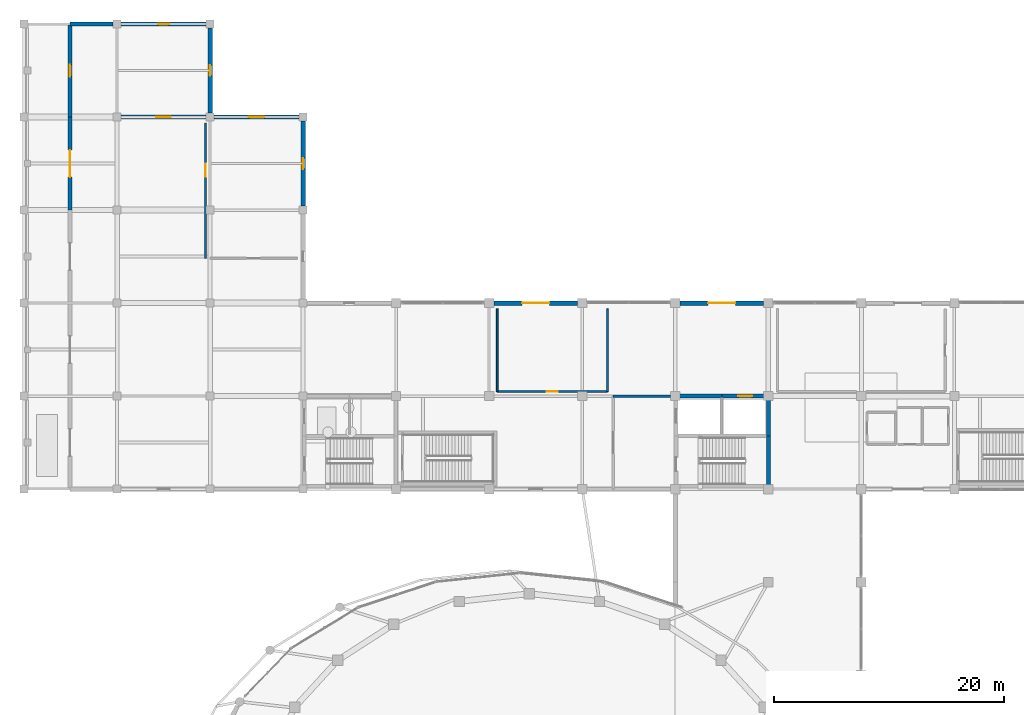
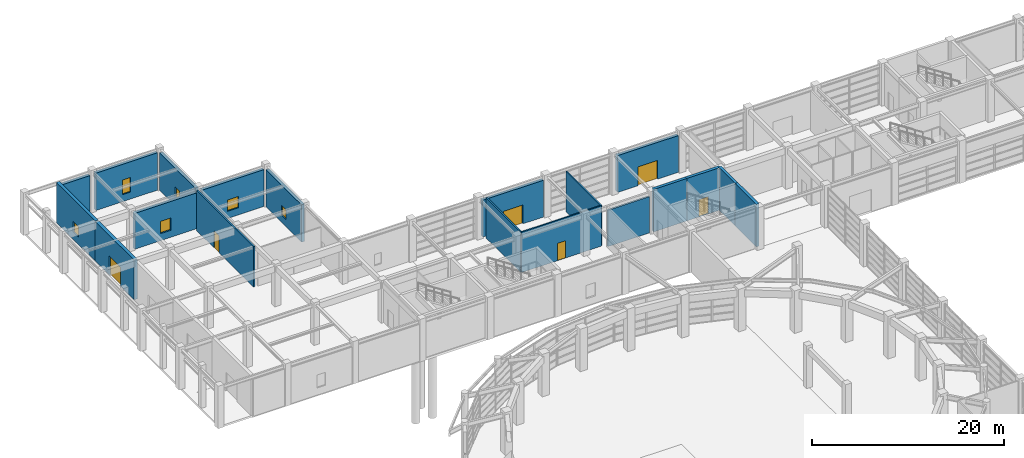
# One storey, part 39 of 52: 19 walls, 6 doors, 6 windows, 12 openings.
"""IFC4 building model written with IfcOpenShell, lengths in metres."""

from ifc_helpers import new_model, si_unit, direction, frame, frame_2d, origin, place, context, subcontext, project, spatial, rectangle, extrude, material, layer, layer_set, type_object, element, fill, save


model = new_model("IFC4")

# Units and contexts
model_context = context("Model", 3, precision=1e-05, world=origin(), true_north=direction((0.0, 1.0)))
body_context = subcontext(model_context, "Body", "Model", "MODEL_VIEW")
ifc_project = project(units=[si_unit("LENGTHUNIT", "METRE"), si_unit("AREAUNIT", "SQUARE_METRE"), si_unit("VOLUMEUNIT", "CUBIC_METRE"), si_unit("PLANEANGLEUNIT", "RADIAN"), si_unit("MASSUNIT", "GRAM", prefix="KILO")], contexts=[model_context])

# Site, building, storey
site_placement = place(None, origin())
site = spatial("IfcSite", under=ifc_project, at=site_placement, CompositionType="ELEMENT")
building_placement = place(site_placement, origin())
building = spatial("IfcBuilding", under=site, at=building_placement, Name="Parian Resonance Hall", CompositionType="ELEMENT")
storey_placement = place(building_placement, origin())
storey = spatial("IfcBuildingStorey", under=building, at=storey_placement, Name="L00", CompositionType="ELEMENT", Elevation=0.0)

# Wall
ifc_material_1 = material(Name="Concrete C40/50", Category="concrete")
ifc_layer_1 = layer(ifc_material_1, 0.35009765625)
ifc_layer_set_1 = layer_set([ifc_layer_1], Name="Concrete C40/50")
wall_type_1 = type_object("IfcWallType", Name="CW350", PredefinedType="SHEAR", material=ifc_layer_set_1)
wall_1_placement = place(storey_placement, frame((56.77001953125, 81.0, 0.0), z_axis=(0.0, 0.0, 1.0), x_axis=(1.0, 0.0, 0.0)))
element("IfcWall", 1, at=wall_1_placement, inside=storey, type_object=wall_type_1, Name="Core K1 north-west shaft wall L00", PredefinedType="SHEAR", context=body_context, shape_type="SweptSolid", body=[
    extrude(rectangle(XDim=3.97998046875, YDim=0.35009765625, at=frame_2d((1.989990234375, 0.0))), origin(), (0.0, 0.0, 1.0), 5.39990234375),
])

# Wall, opening, door
wall_2_placement = place(storey_placement, frame((60.75, 81.0, 0.0), z_axis=(0.0, 0.0, 1.0), x_axis=(1.0, 0.0, 0.0)))
wall_2 = element("IfcWall", 2, at=wall_2_placement, inside=storey, type_object=wall_type_1, Name="Core K1 north-east shaft wall L00", PredefinedType="SHEAR", context=body_context, shape_type="SweptSolid", body=[
    extrude(rectangle(XDim=4.080078125, YDim=0.35009765625, at=frame_2d((2.0400390625, 0.0))), origin(), (0.0, 0.0, 1.0), 5.39990234375),
])
opening_1_placement = place(wall_2_placement, frame((1.43994140625, 0.0, 0.0)))
opening_1 = element("IfcOpeningElement", 3, at=opening_1_placement, cuts=wall_2, Name="Opening LD-01", PredefinedType="OPENING", context=body_context, shape_type="SweptSolid", body=[
    extrude(rectangle(XDim=1.199951171875, YDim=2.199951171875, at=frame_2d((0.60009765625, 1.10009765625))), frame((0.0, 0.18505859375, 0.0), z_axis=(0.0, -1.0, 0.0), x_axis=(1.0, 0.0, 0.0)), (0.0, 0.0, 1.0), 0.3701171875),
])
ifc_material_2 = material(Name="Stainless steel and bronze elevator cab", Category="steel")
door_type_1 = type_object("IfcDoorType", Name="DOOR-LIFT-1200x2200", OperationType="SLIDING_TO_LEFT", PredefinedType="DOOR", material=ifc_material_2)
door_1_placement = place(opening_1_placement, origin())
door_1 = element("IfcDoor", 4, at=door_1_placement, inside=storey, type_object=door_type_1, Name="Lift LF-03 sliding landing door L00", OperationType="SLIDING_TO_LEFT", OverallHeight=2.199951171875, OverallWidth=1.199951171875, PredefinedType="DOOR", context=body_context, shape_type="SweptSolid", body=[
    extrude(rectangle(XDim=1.199951171875, YDim=2.199951171875, at=frame_2d((0.60009765625, 1.10009765625))), frame((0.0, 0.02490234375, 0.0), z_axis=(0.0, -1.0, 0.0), x_axis=(1.0, 0.0, 0.0)), (0.0, 0.0, 1.0), 0.050048828125),
])
fill(opening_1, door_1)

# Walls
wall_3_placement = place(storey_placement, frame((64.830078125, 81.0, 0.0), z_axis=(0.0, 0.0, 1.0), x_axis=(0.0, -1.0, 0.0)))
element("IfcWall", 5, at=wall_3_placement, inside=storey, type_object=wall_type_1, Name="Core K1 east shaft wall L00", PredefinedType="SHEAR", context=body_context, shape_type="SweptSolid", body=[
    extrude(rectangle(XDim=3.449951171875, YDim=0.35009765625, at=frame_2d((1.72509765625, 0.0))), origin(), (0.0, 0.0, 1.0), 5.39990234375),
])
wall_4_placement = place(storey_placement, frame((64.830078125, 77.550048828125, 0.0), z_axis=(0.0, 0.0, 1.0), x_axis=(0.0, -1.0, 0.0)))
element("IfcWall", 6, at=wall_4_placement, inside=storey, type_object=wall_type_1, Name="Core K1 stairwell east wall L00", PredefinedType="SHEAR", context=body_context, shape_type="SweptSolid", body=[
    extrude(rectangle(XDim=4.420166015625, YDim=0.35009765625, at=frame_2d((2.2099609375, 0.0))), origin(), (0.0, 0.0, 1.0), 5.39990234375),
])

# Wall, opening, door
ifc_material_3 = material(Name="Concrete C35/45 with Carcar coral-limestone ashlar", Category="masonry")
ifc_layer_2 = layer(ifc_material_3, 0.3798828125)
ifc_layer_set_2 = layer_set([ifc_layer_2], Name="Concrete C35/45 with Carcar coral-limestone ashlar")
wall_type_2 = type_object("IfcWallType", Name="EW-PLINTH-380", PredefinedType="SOLIDWALL", material=ifc_layer_set_2)
wall_5_placement = place(storey_placement, frame((4.0, 97.199951171875, 0.0), z_axis=(0.0, 0.0, 1.0), x_axis=(0.0, 1.0, 0.0)))
wall_5 = element("IfcWall", 7, at=wall_5_placement, inside=storey, type_object=wall_type_2, Name="Exterior wall EW-L00-0113", PredefinedType="SOLIDWALL", context=body_context, shape_type="SweptSolid", body=[
    extrude(rectangle(XDim=8.10009765625, YDim=0.3798828125, at=frame_2d((4.050048828125, 0.0))), origin(), (0.0, 0.0, 1.0), 5.050048828125),
])
opening_2_placement = place(wall_5_placement, frame((2.8701171875, 0.0, 0.0)))
opening_2 = element("IfcOpeningElement", 8, at=opening_2_placement, cuts=wall_5, Name="Opening EX-01", PredefinedType="OPENING", context=body_context, shape_type="SweptSolid", body=[
    extrude(rectangle(XDim=2.360107421875, YDim=2.39990234375, at=frame_2d((1.18017578125, 1.199951171875))), frame((0.0, 0.199951171875, 0.0), z_axis=(0.0, -1.0, 0.0), x_axis=(1.0, 0.0, 0.0)), (0.0, 0.0, 1.0), 0.39990234375),
])
ifc_material_4 = material(Name="Marine-grade bronze and acoustic glazed door")
door_type_2 = type_object("IfcDoorType", Name="ED-EXIT-2000x2400", OperationType="NOTDEFINED", PredefinedType="DOOR", material=ifc_material_4)
door_2_placement = place(opening_2_placement, origin())
door_2 = element("IfcDoor", 9, at=door_2_placement, inside=storey, type_object=door_type_2, Name="West colonnade chamber foyer exit door EX-V2-12", OperationType="DOUBLE_DOOR_SINGLE_SWING", OverallHeight=2.39990234375, OverallWidth=2.360107421875, PredefinedType="DOOR", context=body_context, shape_type="SweptSolid", body=[
    extrude(rectangle(XDim=2.360107421875, YDim=2.39990234375, at=frame_2d((1.18017578125, 1.199951171875))), frame((0.0, 0.02490234375, 0.0), z_axis=(0.0, -1.0, 0.0), x_axis=(1.0, 0.0, 0.0)), (0.0, 0.0, 1.0), 0.050048828125),
])
fill(opening_2, door_2)

# Wall, opening, window
wall_6_placement = place(storey_placement, frame((8.449951171875, 105.300048828125, 0.0), z_axis=(0.0, 0.0, 1.0), x_axis=(1.0, 0.0, 0.0)))
wall_6 = element("IfcWall", 10, at=wall_6_placement, inside=storey, type_object=wall_type_2, Name="Exterior wall EW-L00-0119", PredefinedType="SOLIDWALL", context=body_context, shape_type="SweptSolid", body=[
    extrude(rectangle(XDim=7.400146484375, YDim=0.3798828125, at=frame_2d((3.7001953125, 0.0))), origin(), (0.0, 0.0, 1.0), 4.550048828125),
])
opening_3_placement = place(wall_6_placement, frame((3.074951171875, 0.0, 0.89990234375)))
opening_3 = element("IfcOpeningElement", 11, at=opening_3_placement, cuts=wall_6, Name="Opening WN-14", PredefinedType="OPENING", context=body_context, shape_type="SweptSolid", body=[
    extrude(rectangle(XDim=1.25, YDim=1.550048828125, at=frame_2d((0.625, 0.77490234375))), frame((0.0, 0.199951171875, 0.0), z_axis=(0.0, -1.0, 0.0), x_axis=(1.0, 0.0, 0.0)), (0.0, 0.0, 1.0), 0.39990234375),
])
ifc_material_5 = material(Name="Acoustic laminated double glazing", Category="glass")
window_type_1 = type_object("IfcWindowType", Name="WIN-1250x1550", PartitioningType="SINGLE_PANEL", PredefinedType="WINDOW", material=ifc_material_5)
window_1_placement = place(opening_3_placement, origin())
window_1 = element("IfcWindow", 12, at=window_1_placement, inside=storey, type_object=window_type_1, Name="Acoustic window L00-0013", OverallHeight=1.550048828125, OverallWidth=1.25, PartitioningType="SINGLE_PANEL", PredefinedType="WINDOW", context=body_context, shape_type="SweptSolid", body=[
    extrude(rectangle(XDim=1.25, YDim=1.550048828125, at=frame_2d((0.625, 0.77490234375))), frame((0.0, 0.030029296875, 0.0), z_axis=(0.0, -1.0, 0.0), x_axis=(1.0, 0.0, 0.0)), (0.0, 0.0, 1.0), 0.06005859375),
])
fill(opening_3, window_1)

wall_7_placement = place(storey_placement, frame((16.550048828125, 105.300048828125, 0.0), z_axis=(0.0, 0.0, 1.0), x_axis=(1.0, 0.0, 0.0)))
wall_7 = element("IfcWall", 13, at=wall_7_placement, inside=storey, type_object=wall_type_2, Name="Exterior wall EW-L00-0122", PredefinedType="SOLIDWALL", context=body_context, shape_type="SweptSolid", body=[
    extrude(rectangle(XDim=7.39990234375, YDim=0.3798828125, at=frame_2d((3.699951171875, 0.0))), origin(), (0.0, 0.0, 1.0), 4.677001953125),
])
opening_4_placement = place(wall_7_placement, frame((3.02490234375, 0.0, 0.89990234375)))
opening_4 = element("IfcOpeningElement", 14, at=opening_4_placement, cuts=wall_7, Name="Opening WN-17", PredefinedType="OPENING", context=body_context, shape_type="SweptSolid", body=[
    extrude(rectangle(XDim=1.35009765625, YDim=1.449951171875, at=frame_2d((0.675048828125, 0.72509765625))), frame((0.0, 0.199951171875, 0.0), z_axis=(0.0, -1.0, 0.0), x_axis=(1.0, 0.0, 0.0)), (0.0, 0.0, 1.0), 0.39990234375),
])
ifc_material_6 = material(Name="Acoustic laminated double glazing", Category="glass")
window_type_2 = type_object("IfcWindowType", Name="WIN-1350x1450", PartitioningType="SINGLE_PANEL", PredefinedType="WINDOW", material=ifc_material_6)
window_2_placement = place(opening_4_placement, origin())
window_2 = element("IfcWindow", 15, at=window_2_placement, inside=storey, type_object=window_type_2, Name="Acoustic window L00-0016", OverallHeight=1.449951171875, OverallWidth=1.35009765625, PartitioningType="SINGLE_PANEL", PredefinedType="WINDOW", context=body_context, shape_type="SweptSolid", body=[
    extrude(rectangle(XDim=1.35009765625, YDim=1.449951171875, at=frame_2d((0.675048828125, 0.72509765625))), frame((0.0, 0.030029296875, 0.0), z_axis=(0.0, -1.0, 0.0), x_axis=(1.0, 0.0, 0.0)), (0.0, 0.0, 1.0), 0.06005859375),
])
fill(opening_4, window_2)

# Wall, opening, door
wall_8_placement = place(storey_placement, frame((40.89990234375, 89.10009765625, 0.0), z_axis=(0.0, 0.0, 1.0), x_axis=(1.0, 0.0, 0.0)))
wall_8 = element("IfcWall", 16, at=wall_8_placement, inside=storey, type_object=wall_type_2, Name="Exterior wall EW-L00-0145", PredefinedType="SOLIDWALL", context=body_context, shape_type="SweptSolid", body=[
    extrude(rectangle(XDim=7.300048828125, YDim=0.3798828125, at=frame_2d((3.64990234375, 0.0))), origin(), (0.0, 0.0, 1.0), 4.675048828125),
])
opening_5_placement = place(wall_8_placement, frame((2.469970703125, 0.0, 0.0)))
opening_5 = element("IfcOpeningElement", 17, at=opening_5_placement, cuts=wall_8, Name="Opening EX-01", PredefinedType="OPENING", context=body_context, shape_type="SweptSolid", body=[
    extrude(rectangle(XDim=2.360107421875, YDim=2.39990234375, at=frame_2d((1.18017578125, 1.199951171875))), frame((0.0, 0.199951171875, 0.0), z_axis=(0.0, -1.0, 0.0), x_axis=(1.0, 0.0, 0.0)), (0.0, 0.0, 1.0), 0.39990234375),
])
door_3_placement = place(opening_5_placement, origin())
door_3 = element("IfcDoor", 18, at=door_3_placement, inside=storey, type_object=door_type_2, Name="North garden exit door EX-V4-5", OperationType="DOUBLE_DOOR_SINGLE_SWING", OverallHeight=2.39990234375, OverallWidth=2.360107421875, PredefinedType="DOOR", context=body_context, shape_type="SweptSolid", body=[
    extrude(rectangle(XDim=2.360107421875, YDim=2.39990234375, at=frame_2d((1.18017578125, 1.199951171875))), frame((0.0, 0.02490234375, 0.0), z_axis=(0.0, -1.0, 0.0), x_axis=(1.0, 0.0, 0.0)), (0.0, 0.0, 1.0), 0.050048828125),
])
fill(opening_5, door_3)

wall_9_placement = place(storey_placement, frame((57.10009765625, 89.10009765625, 0.0), z_axis=(0.0, 0.0, 1.0), x_axis=(1.0, 0.0, 0.0)))
wall_9 = element("IfcWall", 19, at=wall_9_placement, inside=storey, type_object=wall_type_2, Name="Exterior wall EW-L00-0146", PredefinedType="SOLIDWALL", context=body_context, shape_type="SweptSolid", body=[
    extrude(rectangle(XDim=7.2998046875, YDim=0.3798828125, at=frame_2d((3.64990234375, 0.0))), origin(), (0.0, 0.0, 1.0), 4.675048828125),
])
opening_6_placement = place(wall_9_placement, frame((2.469970703125, 0.0, 0.0)))
opening_6 = element("IfcOpeningElement", 20, at=opening_6_placement, cuts=wall_9, Name="Opening EX-01", PredefinedType="OPENING", context=body_context, shape_type="SweptSolid", body=[
    extrude(rectangle(XDim=2.360107421875, YDim=2.39990234375, at=frame_2d((1.18017578125, 1.199951171875))), frame((0.0, 0.199951171875, 0.0), z_axis=(0.0, -1.0, 0.0), x_axis=(1.0, 0.0, 0.0)), (0.0, 0.0, 1.0), 0.39990234375),
])
door_4_placement = place(opening_6_placement, origin())
door_4 = element("IfcDoor", 21, at=door_4_placement, inside=storey, type_object=door_type_2, Name="North garden exit door EX-V4-7", OperationType="DOUBLE_DOOR_SINGLE_SWING", OverallHeight=2.39990234375, OverallWidth=2.360107421875, PredefinedType="DOOR", context=body_context, shape_type="SweptSolid", body=[
    extrude(rectangle(XDim=2.360107421875, YDim=2.39990234375, at=frame_2d((1.18017578125, 1.199951171875))), frame((0.0, 0.02490234375, 0.0), z_axis=(0.0, -1.0, 0.0), x_axis=(1.0, 0.0, 0.0)), (0.0, 0.0, 1.0), 0.050048828125),
])
fill(opening_6, door_4)

# Wall, opening, window
wall_10_placement = place(storey_placement, frame((24.300048828125, 97.550048828125, 0.0), z_axis=(0.0, 0.0, 1.0), x_axis=(0.0, 1.0, 0.0)))
wall_10 = element("IfcWall", 22, at=wall_10_placement, inside=storey, type_object=wall_type_2, Name="Perimeter closure wall L00", PredefinedType="SOLIDWALL", context=body_context, shape_type="SweptSolid", body=[
    extrude(rectangle(XDim=7.39990234375, YDim=0.3798828125, at=frame_2d((3.699951171875, 0.0))), origin(), (0.0, 0.0, 1.0), 4.737060546875),
])
opening_7_placement = place(wall_10_placement, frame((3.22509765625, 0.0, 0.89990234375)))
opening_7 = element("IfcOpeningElement", 23, at=opening_7_placement, cuts=wall_10, Name="Opening WN-04", PredefinedType="OPENING", context=body_context, shape_type="SweptSolid", body=[
    extrude(rectangle(XDim=0.949951171875, YDim=1.25, at=frame_2d((0.47509765625, 0.625))), frame((0.0, 0.199951171875, 0.0), z_axis=(0.0, -1.0, 0.0), x_axis=(1.0, 0.0, 0.0)), (0.0, 0.0, 1.0), 0.39990234375),
])
ifc_material_7 = material(Name="Acoustic laminated double glazing", Category="glass")
window_type_3 = type_object("IfcWindowType", Name="WIN-950x1250", PartitioningType="SINGLE_PANEL", PredefinedType="WINDOW", material=ifc_material_7)
window_3_placement = place(opening_7_placement, origin())
window_3 = element("IfcWindow", 24, at=window_3_placement, inside=storey, type_object=window_type_3, Name="Acoustic window L00-0049", OverallHeight=1.25, OverallWidth=0.949951171875, PartitioningType="SINGLE_PANEL", PredefinedType="WINDOW", context=body_context, shape_type="SweptSolid", body=[
    extrude(rectangle(XDim=0.949951171875, YDim=1.25, at=frame_2d((0.47509765625, 0.625))), frame((0.0, 0.030029296875, 0.0), z_axis=(0.0, -1.0, 0.0), x_axis=(1.0, 0.0, 0.0)), (0.0, 0.0, 1.0), 0.06005859375),
])
fill(opening_7, window_3)

wall_11_placement = place(storey_placement, frame((16.199951171875, 105.64990234375, 0.0), z_axis=(0.0, 0.0, 1.0), x_axis=(0.0, 1.0, 0.0)))
wall_11 = element("IfcWall", 25, at=wall_11_placement, inside=storey, type_object=wall_type_2, Name="Perimeter closure wall L00", PredefinedType="SOLIDWALL", context=body_context, shape_type="SweptSolid", body=[
    extrude(rectangle(XDim=7.400146484375, YDim=0.3798828125, at=frame_2d((3.7001953125, 0.0))), origin(), (0.0, 0.0, 1.0), 4.806884765625),
])
opening_8_placement = place(wall_11_placement, frame((3.22509765625, 0.0, 0.89990234375)))
opening_8 = element("IfcOpeningElement", 26, at=opening_8_placement, cuts=wall_11, Name="Opening WN-05", PredefinedType="OPENING", context=body_context, shape_type="SweptSolid", body=[
    extrude(rectangle(XDim=0.949951171875, YDim=1.550048828125, at=frame_2d((0.47509765625, 0.77490234375))), frame((0.0, 0.199951171875, 0.0), z_axis=(0.0, -1.0, 0.0), x_axis=(1.0, 0.0, 0.0)), (0.0, 0.0, 1.0), 0.39990234375),
])
ifc_material_8 = material(Name="Acoustic laminated double glazing", Category="glass")
window_type_4 = type_object("IfcWindowType", Name="WIN-950x1550", PartitioningType="SINGLE_PANEL", PredefinedType="WINDOW", material=ifc_material_8)
window_4_placement = place(opening_8_placement, origin())
window_4 = element("IfcWindow", 27, at=window_4_placement, inside=storey, type_object=window_type_4, Name="Acoustic window L00-0050", OverallHeight=1.550048828125, OverallWidth=0.949951171875, PartitioningType="SINGLE_PANEL", PredefinedType="WINDOW", context=body_context, shape_type="SweptSolid", body=[
    extrude(rectangle(XDim=0.949951171875, YDim=1.550048828125, at=frame_2d((0.47509765625, 0.77490234375))), frame((0.0, 0.030029296875, 0.0), z_axis=(0.0, -1.0, 0.0), x_axis=(1.0, 0.0, 0.0)), (0.0, 0.0, 1.0), 0.06005859375),
])
fill(opening_8, window_4)

wall_12_placement = place(storey_placement, frame((15.85009765625, 113.39990234375, 0.0), z_axis=(0.0, 0.0, 1.0), x_axis=(-1.0, 0.0, 0.0)))
wall_12 = element("IfcWall", 28, at=wall_12_placement, inside=storey, type_object=wall_type_2, Name="Perimeter closure wall L00", PredefinedType="SOLIDWALL", context=body_context, shape_type="SweptSolid", body=[
    extrude(rectangle(XDim=7.400146484375, YDim=0.3798828125, at=frame_2d((3.7001953125, 0.0))), origin(), (0.0, 0.0, 1.0), 4.7470703125),
])
opening_9_placement = place(wall_12_placement, frame((3.22509765625, 0.0, 0.89990234375)))
opening_9 = element("IfcOpeningElement", 29, at=opening_9_placement, cuts=wall_12, Name="Opening WN-06", PredefinedType="OPENING", context=body_context, shape_type="SweptSolid", body=[
    extrude(rectangle(XDim=0.949951171875, YDim=1.85009765625, at=frame_2d((0.47509765625, 0.925048828125))), frame((0.0, 0.199951171875, 0.0), z_axis=(0.0, -1.0, 0.0), x_axis=(1.0, 0.0, 0.0)), (0.0, 0.0, 1.0), 0.39990234375),
])
ifc_material_9 = material(Name="Acoustic laminated double glazing", Category="glass")
window_type_5 = type_object("IfcWindowType", Name="WIN-950x1850", PartitioningType="SINGLE_PANEL", PredefinedType="WINDOW", material=ifc_material_9)
window_5_placement = place(opening_9_placement, origin())
window_5 = element("IfcWindow", 30, at=window_5_placement, inside=storey, type_object=window_type_5, Name="Acoustic window L00-0051", OverallHeight=1.85009765625, OverallWidth=0.949951171875, PartitioningType="SINGLE_PANEL", PredefinedType="WINDOW", context=body_context, shape_type="SweptSolid", body=[
    extrude(rectangle(XDim=0.949951171875, YDim=1.85009765625, at=frame_2d((0.47509765625, 0.925048828125))), frame((0.0, 0.030029296875, 0.0), z_axis=(0.0, -1.0, 0.0), x_axis=(1.0, 0.0, 0.0)), (0.0, 0.0, 1.0), 0.06005859375),
])
fill(opening_9, window_5)

# Wall
wall_13_placement = place(storey_placement, frame((7.75, 113.39990234375, 0.0), z_axis=(0.0, 0.0, 1.0), x_axis=(-1.0, 0.0, 0.0)))
element("IfcWall", 31, at=wall_13_placement, inside=storey, type_object=wall_type_2, Name="Perimeter closure wall L00", PredefinedType="SOLIDWALL", context=body_context, shape_type="SweptSolid", body=[
    extrude(rectangle(XDim=3.75, YDim=0.3798828125, at=frame_2d((1.875, 0.0))), origin(), (0.0, 0.0, 1.0), 4.695068359375),
])

# Wall, opening, window
wall_14_placement = place(storey_placement, frame((4.0, 113.39990234375, 0.0), z_axis=(0.0, 0.0, 1.0), x_axis=(0.0, -1.0, 0.0)))
wall_14 = element("IfcWall", 32, at=wall_14_placement, inside=storey, type_object=wall_type_2, Name="Perimeter closure wall L00", PredefinedType="SOLIDWALL", context=body_context, shape_type="SweptSolid", body=[
    extrude(rectangle(XDim=8.099853515625, YDim=0.3798828125, at=frame_2d((4.0498046875, 0.0))), origin(), (0.0, 0.0, 1.0), 5.10009765625),
])
opening_10_placement = place(wall_14_placement, frame((3.52490234375, 0.0, 0.89990234375)))
opening_10 = element("IfcOpeningElement", 33, at=opening_10_placement, cuts=wall_14, Name="Opening WN-07", PredefinedType="OPENING", context=body_context, shape_type="SweptSolid", body=[
    extrude(rectangle(XDim=1.050048828125, YDim=1.35009765625, at=frame_2d((0.52490234375, 0.675048828125))), frame((0.0, 0.199951171875, 0.0), z_axis=(0.0, -1.0, 0.0), x_axis=(1.0, 0.0, 0.0)), (0.0, 0.0, 1.0), 0.39990234375),
])
ifc_material_10 = material(Name="Acoustic laminated double glazing", Category="glass")
window_type_6 = type_object("IfcWindowType", Name="WIN-1050x1350", PartitioningType="SINGLE_PANEL", PredefinedType="WINDOW", material=ifc_material_10)
window_6_placement = place(opening_10_placement, origin())
window_6 = element("IfcWindow", 34, at=window_6_placement, inside=storey, type_object=window_type_6, Name="Acoustic window L00-0052", OverallHeight=1.35009765625, OverallWidth=1.050048828125, PartitioningType="SINGLE_PANEL", PredefinedType="WINDOW", context=body_context, shape_type="SweptSolid", body=[
    extrude(rectangle(XDim=1.050048828125, YDim=1.35009765625, at=frame_2d((0.52490234375, 0.675048828125))), frame((0.0, 0.030029296875, 0.0), z_axis=(0.0, -1.0, 0.0), x_axis=(1.0, 0.0, 0.0)), (0.0, 0.0, 1.0), 0.06005859375),
])
fill(opening_10, window_6)

# Walls
ifc_material_11 = material(Name="Concrete C35/45 fire barrier", Category="concrete")
ifc_layer_3 = layer(ifc_material_11, 0.199951171875)
ifc_layer_set_3 = layer_set([ifc_layer_3], Name="Concrete C35/45 fire barrier")
wall_type_3 = type_object("IfcWallType", Name="FW200", PredefinedType="PARTITIONING", material=ifc_layer_set_3)
wall_15_placement = place(storey_placement, frame((51.300048828125, 81.0, 0.0), z_axis=(0.0, 0.0, 1.0), x_axis=(1.0, 0.0, 0.0)))
element("IfcWall", 35, at=wall_15_placement, inside=storey, type_object=wall_type_3, Name="Firefighting lift lobby K1 N fire barrier L00", PredefinedType="PARTITIONING", context=body_context, shape_type="SweptSolid", body=[
    extrude(rectangle(XDim=5.0, YDim=0.199951171875, at=frame_2d((2.5, 0.0))), origin(), (0.0, 0.0, 1.0), 4.611083984375),
])
ifc_material_12 = material(Name="Concrete C35/45 acoustic masonry partition", Category="masonry")
ifc_layer_4 = layer(ifc_material_12, 0.159912109375)
ifc_layer_set_4 = layer_set([ifc_layer_4], Name="Concrete C35/45 acoustic masonry partition")
wall_type_4 = type_object("IfcWallType", Name="PW160", PredefinedType="PARTITIONING", material=ifc_layer_set_4)
wall_16_placement = place(storey_placement, frame((50.800048828125, 88.60009765625, 0.0), z_axis=(0.0, 0.0, 1.0), x_axis=(0.0, -1.0, 0.0)))
element("IfcWall", 36, at=wall_16_placement, inside=storey, type_object=wall_type_4, Name="Interior acoustic partition IW-L00-0073", PredefinedType="PARTITIONING", context=body_context, shape_type="SweptSolid", body=[
    extrude(rectangle(XDim=7.2001953125, YDim=0.159912109375, at=frame_2d((3.60009765625, 0.0))), origin(), (0.0, 0.0, 1.0), 5.1201171875),
])

# Wall, opening, door
wall_17_placement = place(storey_placement, frame((50.800048828125, 81.39990234375, 0.0), z_axis=(0.0, 0.0, 1.0), x_axis=(-1.0, 0.0, 0.0)))
wall_17 = element("IfcWall", 37, at=wall_17_placement, inside=storey, type_object=wall_type_4, Name="Interior acoustic partition IW-L00-0074", PredefinedType="PARTITIONING", context=body_context, shape_type="SweptSolid", body=[
    extrude(rectangle(XDim=9.60009765625, YDim=0.159912109375, at=frame_2d((4.800048828125, 0.0))), origin(), (0.0, 0.0, 1.0), 5.1201171875),
])
opening_11_placement = place(wall_17_placement, frame((4.31005859375, 0.0, 0.0)))
opening_11 = element("IfcOpeningElement", 38, at=opening_11_placement, cuts=wall_17, Name="Opening ID-17", PredefinedType="OPENING", context=body_context, shape_type="SweptSolid", body=[
    extrude(rectangle(XDim=0.97998046875, YDim=2.199951171875, at=frame_2d((0.489990234375, 1.10009765625))), frame((0.0, 0.08984375, 0.0), z_axis=(0.0, -1.0, 0.0), x_axis=(1.0, 0.0, 0.0)), (0.0, 0.0, 1.0), 0.179931640625),
])
ifc_material_13 = material(Name="Philippine narra acoustic timber door", Category="wood")
door_type_3 = type_object("IfcDoorType", Name="ID-DRS-0980x2200", OperationType="NOTDEFINED", PredefinedType="DOOR", material=ifc_material_13)
door_5_placement = place(opening_11_placement, origin())
door_5 = element("IfcDoor", 39, at=door_5_placement, inside=storey, type_object=door_type_3, Name="Community Music Room 01 door", OperationType="SINGLE_SWING_RIGHT", OverallHeight=2.199951171875, OverallWidth=0.97998046875, PredefinedType="DOOR", context=body_context, shape_type="SweptSolid", body=[
    extrude(rectangle(XDim=0.97998046875, YDim=2.199951171875, at=frame_2d((0.489990234375, 1.10009765625))), frame((0.0, 0.02490234375, 0.0), z_axis=(0.0, -1.0, 0.0), x_axis=(1.0, 0.0, 0.0)), (0.0, 0.0, 1.0), 0.050048828125),
])
fill(opening_11, door_5)

# Wall
wall_18_placement = place(storey_placement, frame((41.199951171875, 81.39990234375, 0.0), z_axis=(0.0, 0.0, 1.0), x_axis=(0.0, 1.0, 0.0)))
element("IfcWall", 40, at=wall_18_placement, inside=storey, type_object=wall_type_4, Name="Interior acoustic partition IW-L00-0075", PredefinedType="PARTITIONING", context=body_context, shape_type="SweptSolid", body=[
    extrude(rectangle(XDim=7.2001953125, YDim=0.159912109375, at=frame_2d((3.60009765625, 0.0))), origin(), (0.0, 0.0, 1.0), 5.1201171875),
])

# Wall, opening, door
ifc_material_14 = material(Name="Concrete C35/45 acoustic masonry partition", Category="masonry")
ifc_layer_5 = layer(ifc_material_14, 0.179931640625)
ifc_layer_set_5 = layer_set([ifc_layer_5], Name="Concrete C35/45 acoustic masonry partition")
wall_type_5 = type_object("IfcWallType", Name="PW180", PredefinedType="PARTITIONING", material=ifc_layer_set_5)
wall_19_placement = place(storey_placement, frame((15.800048828125, 104.800048828125, 0.0), z_axis=(0.0, 0.0, 1.0), x_axis=(0.0, -1.0, 0.0)))
wall_19 = element("IfcWall", 41, at=wall_19_placement, inside=storey, type_object=wall_type_5, Name="Interior acoustic partition IW-L00-0049", PredefinedType="PARTITIONING", context=body_context, shape_type="SweptSolid", body=[
    extrude(rectangle(XDim=11.800048828125, YDim=0.179931640625, at=frame_2d((5.89990234375, 0.0))), origin(), (0.0, 0.0, 1.0), 5.1201171875),
])
opening_12_placement = place(wall_19_placement, frame((3.570068359375, 0.0, 0.0)))
opening_12 = element("IfcOpeningElement", 42, at=opening_12_placement, cuts=wall_19, Name="Opening ID-12", PredefinedType="OPENING", context=body_context, shape_type="SweptSolid", body=[
    extrude(rectangle(XDim=1.1201171875, YDim=2.179931640625, at=frame_2d((0.56005859375, 1.08984375))), frame((0.0, 0.099853515625, 0.0), z_axis=(0.0, -1.0, 0.0), x_axis=(1.0, 0.0, 0.0)), (0.0, 0.0, 1.0), 0.199951171875),
])
ifc_material_15 = material(Name="Philippine narra acoustic timber door", Category="wood")
door_type_4 = type_object("IfcDoorType", Name="ID-STU-1120x2180", OperationType="NOTDEFINED", PredefinedType="DOOR", material=ifc_material_15)
door_6_placement = place(opening_12_placement, origin())
door_6 = element("IfcDoor", 43, at=door_6_placement, inside=storey, type_object=door_type_4, Name="Chamber Green Room door", OperationType="SINGLE_SWING_LEFT", OverallHeight=2.179931640625, OverallWidth=1.1201171875, PredefinedType="DOOR", context=body_context, shape_type="SweptSolid", body=[
    extrude(rectangle(XDim=1.1201171875, YDim=2.179931640625, at=frame_2d((0.56005859375, 1.08984375))), frame((0.0, 0.02490234375, 0.0), z_axis=(0.0, -1.0, 0.0), x_axis=(1.0, 0.0, 0.0)), (0.0, 0.0, 1.0), 0.050048828125),
])
fill(opening_12, door_6)

save(model, "model.ifc")
